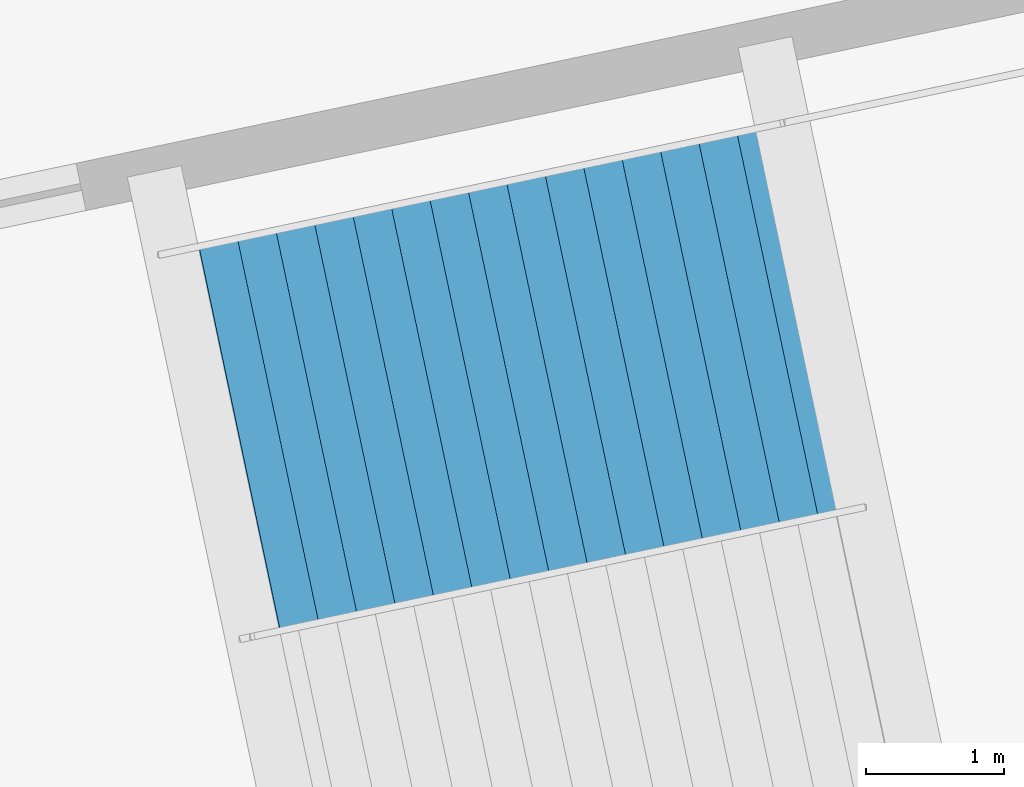
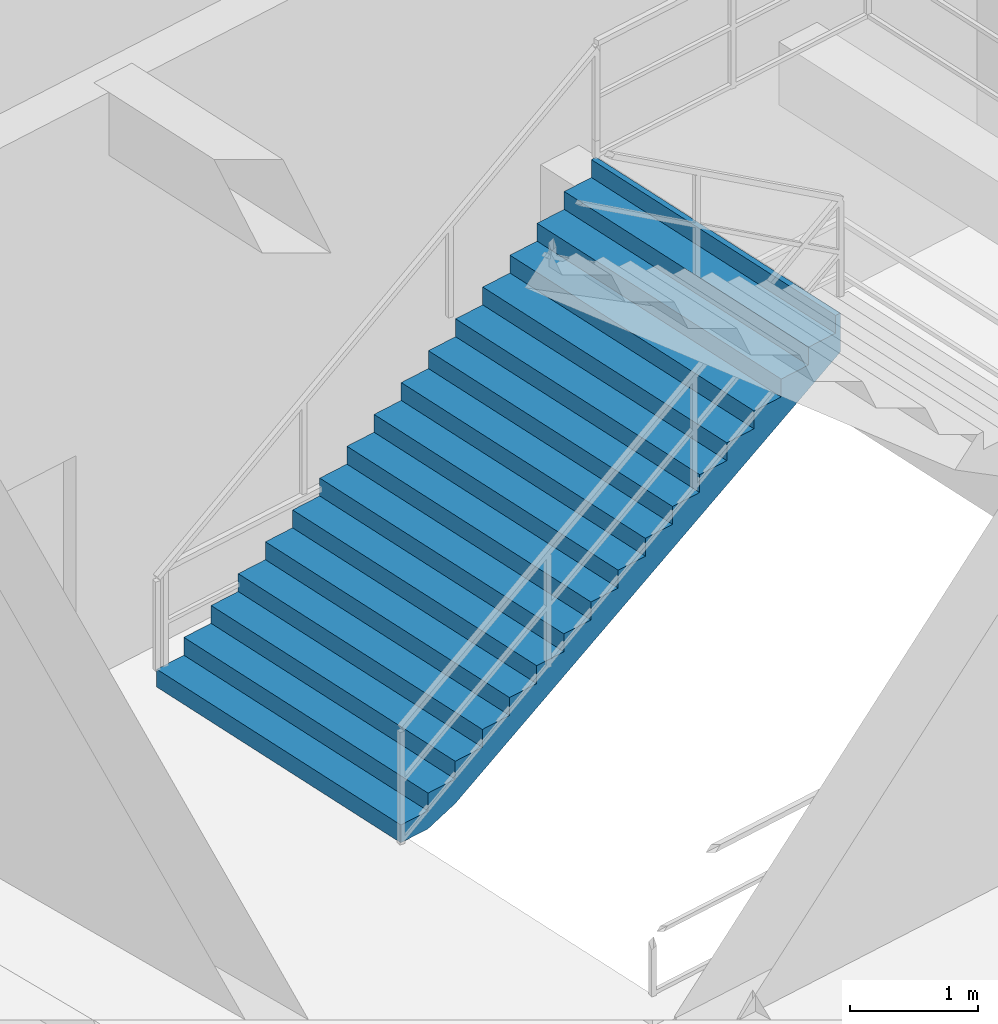
# One storey, part 26 of 48: 1 stair flight, 1 element without a shape of its own.
"""IFC4 building model written with IfcOpenShell, lengths in metres."""

from ifc_helpers import new_model, si_unit, direction, frame, origin, place, context, subcontext, project, spatial, polygons, material, type_object, element, aggregate, save


model = new_model("IFC4")

# Units and contexts
model_context = context("Model", 3, precision=1e-05, world=origin(), true_north=direction((0.0, 1.0)))
body_context = subcontext(model_context, "Body", "Model", "MODEL_VIEW")
ifc_project = project(units=[si_unit("LENGTHUNIT", "METRE"), si_unit("AREAUNIT", "SQUARE_METRE"), si_unit("VOLUMEUNIT", "CUBIC_METRE"), si_unit("PLANEANGLEUNIT", "RADIAN"), si_unit("MASSUNIT", "GRAM", prefix="KILO")], contexts=[model_context])

# Site, building, storey
site_placement = place(None, origin())
site = spatial("IfcSite", under=ifc_project, at=site_placement, CompositionType="ELEMENT")
building_placement = place(site_placement, origin())
building = spatial("IfcBuilding", under=site, at=building_placement, Name="Kazemori Nagisa Stadium", CompositionType="ELEMENT")
storey_placement = place(building_placement, origin())
storey = spatial("IfcBuildingStorey", under=building, at=storey_placement, Name="L00", CompositionType="ELEMENT", Elevation=0.0)

# Stair, stair flight
ifc_material = material(Name="Concrete C36/45 (Fc36)", Category="concrete")
stair_type = type_object("IfcStairType", Name="Stair_CORE_34", PredefinedType="TWO_STRAIGHT_RUN_STAIR", material=ifc_material)
stair_placement = place(storey_placement, origin())
stair = element("IfcStair", 1, at=stair_placement, inside=storey, type_object=stair_type, Name="Exit stair ST06 L00", PredefinedType="TWO_STRAIGHT_RUN_STAIR")
stair_flight_type = type_object("IfcStairFlightType", Name="Flight_CORE_17", PredefinedType="STRAIGHT", material=ifc_material)
stair_flight_placement = place(storey_placement, frame((145.99365234375, 24.9423828125, 0.0), z_axis=(0.0, 0.0, 1.0), x_axis=(0.978343656901, 0.206987171104, 0.0)))
stair_flight = element("IfcStairFlight", 2, at=stair_flight_placement, type_object=stair_flight_type, Name="Exit stair ST06 L00 flight 1", NumberOfRisers=17, NumberOfTreads=16, PredefinedType="STRAIGHT", RiserHeight=0.17, TreadLength=0.285, context=body_context, shape_type="Tessellation", body=[
    polygons([(0.0, -1.425048828125, 0.0), (0.0, -1.425048828125, 0.169921875), (0.284912109375, -1.425048828125, 0.169921875), (0.284912109375, -1.425048828125, 0.340087890625), (0.570068359375, -1.425048828125, 0.340087890625), (0.570068359375, -1.425048828125, 0.510009765625), (0.85498046875, -1.425048828125, 0.510009765625), (0.85498046875, -1.425048828125, 0.679931640625), (1.139892578125, -1.425048828125, 0.679931640625), (1.139892578125, -1.425048828125, 0.85009765625), (1.425048828125, -1.425048828125, 0.85009765625), (1.425048828125, -1.425048828125, 1.02001953125), (1.7099609375, -1.425048828125, 1.02001953125), (1.7099609375, -1.425048828125, 1.18994140625), (1.9951171875, -1.425048828125, 1.18994140625), (1.9951171875, -1.425048828125, 1.360107421875), (2.280029296875, -1.425048828125, 1.360107421875), (2.280029296875, -1.425048828125, 1.530029296875), (2.56494140625, -1.425048828125, 1.530029296875), (2.56494140625, -1.425048828125, 1.699951171875), (2.85009765625, -1.425048828125, 1.699951171875), (2.85009765625, -1.425048828125, 1.8701171875), (3.135009765625, -1.425048828125, 1.8701171875), (3.135009765625, -1.425048828125, 2.0400390625), (3.419921875, -1.425048828125, 2.0400390625), (3.419921875, -1.425048828125, 2.2099609375), (3.705078125, -1.425048828125, 2.2099609375), (3.705078125, -1.425048828125, 2.3798828125), (3.989990234375, -1.425048828125, 2.3798828125), (3.989990234375, -1.425048828125, 2.550048828125), (4.27490234375, -1.425048828125, 2.550048828125), (4.27490234375, -1.425048828125, 2.719970703125), (4.56005859375, -1.425048828125, 2.719970703125), (4.56005859375, -1.425048828125, 2.889892578125), (4.610107421875, -1.425048828125, 2.889892578125), (4.610107421875, -1.425048828125, 2.51708984375), (4.56005859375, -1.425048828125, 2.487060546875), (4.27490234375, -1.425048828125, 2.317138671875), (3.989990234375, -1.425048828125, 2.147216796875), (3.705078125, -1.425048828125, 1.977294921875), (3.419921875, -1.425048828125, 1.80712890625), (3.135009765625, -1.425048828125, 1.63720703125), (2.85009765625, -1.425048828125, 1.46728515625), (2.56494140625, -1.425048828125, 1.297119140625), (2.280029296875, -1.425048828125, 1.127197265625), (1.9951171875, -1.425048828125, 0.957275390625), (1.7099609375, -1.425048828125, 0.787109375), (1.425048828125, -1.425048828125, 0.6171875), (1.139892578125, -1.425048828125, 0.447265625), (0.85498046875, -1.425048828125, 0.277099609375), (0.570068359375, -1.425048828125, 0.107177734375), (0.284912109375, -1.425048828125, 0.0), (0.0, -0.08544921875, 0.0), (0.0, -0.08544921875, 0.169921875), (0.284912109375, -0.08544921875, 0.169921875), (0.284912109375, -0.08544921875, 0.340087890625), (0.570068359375, -0.08544921875, 0.340087890625), (0.570068359375, -0.08544921875, 0.510009765625), (0.85498046875, -0.08544921875, 0.510009765625), (0.85498046875, -0.08544921875, 0.679931640625), (1.139892578125, -0.08544921875, 0.679931640625), (1.139892578125, -0.08544921875, 0.85009765625), (1.425048828125, -0.08544921875, 0.85009765625), (1.425048828125, -0.08544921875, 1.02001953125), (1.7099609375, -0.08544921875, 1.02001953125), (1.7099609375, -0.08544921875, 1.18994140625), (1.9951171875, -0.08544921875, 1.18994140625), (1.9951171875, -0.08544921875, 1.360107421875), (2.280029296875, -0.08544921875, 1.360107421875), (2.280029296875, -0.08544921875, 1.530029296875), (2.56494140625, -0.08544921875, 1.530029296875), (2.56494140625, -0.08544921875, 1.699951171875), (2.85009765625, -0.08544921875, 1.699951171875), (2.85009765625, -0.08544921875, 1.8701171875), (3.135009765625, -0.08544921875, 1.8701171875), (3.135009765625, -0.08544921875, 2.0400390625), (3.419921875, -0.08544921875, 2.0400390625), (3.419921875, -0.08544921875, 2.2099609375), (3.705078125, -0.08544921875, 2.2099609375), (3.705078125, -0.08544921875, 2.3798828125), (3.989990234375, -0.08544921875, 2.3798828125), (3.989990234375, -0.08544921875, 2.550048828125), (4.27490234375, -0.08544921875, 2.550048828125), (4.27490234375, -0.08544921875, 2.719970703125), (4.56005859375, -0.08544921875, 2.719970703125), (4.56005859375, -0.08544921875, 2.889892578125), (4.610107421875, -0.08544921875, 2.889892578125), (4.610107421875, -0.08544921875, 2.51708984375), (4.56005859375, -0.08544921875, 2.487060546875), (4.27490234375, -0.08544921875, 2.317138671875), (3.989990234375, -0.08544921875, 2.147216796875), (3.705078125, -0.08544921875, 1.977294921875), (3.419921875, -0.08544921875, 1.80712890625), (3.135009765625, -0.08544921875, 1.63720703125), (2.85009765625, -0.08544921875, 1.46728515625), (2.56494140625, -0.08544921875, 1.297119140625), (2.280029296875, -0.08544921875, 1.127197265625), (1.9951171875, -0.08544921875, 0.957275390625), (1.7099609375, -0.08544921875, 0.787109375), (1.425048828125, -0.08544921875, 0.6171875), (1.139892578125, -0.08544921875, 0.447265625), (0.85498046875, -0.08544921875, 0.277099609375), (0.570068359375, -0.08544921875, 0.107177734375), (0.284912109375, -0.08544921875, 0.0), (0.0, 0.0, 0.0), (0.0, 0.0, 0.169921875), (0.284912109375, 0.0, 0.169921875), (0.284912109375, 0.0, 0.340087890625), (0.570068359375, 0.0, 0.340087890625), (0.570068359375, 0.0, 0.510009765625), (0.85498046875, 0.0, 0.510009765625), (0.85498046875, 0.0, 0.679931640625), (1.139892578125, 0.0, 0.679931640625), (1.139892578125, 0.0, 0.85009765625), (1.425048828125, 0.0, 0.85009765625), (1.425048828125, 0.0, 1.02001953125), (1.7099609375, 0.0, 1.02001953125), (1.7099609375, 0.0, 1.18994140625), (1.9951171875, 0.0, 1.18994140625), (1.9951171875, 0.0, 1.360107421875), (2.280029296875, 0.0, 1.360107421875), (2.280029296875, 0.0, 1.530029296875), (2.56494140625, 0.0, 1.530029296875), (2.56494140625, 0.0, 1.699951171875), (2.85009765625, 0.0, 1.699951171875), (2.85009765625, 0.0, 1.8701171875), (3.135009765625, 0.0, 1.8701171875), (3.135009765625, 0.0, 2.0400390625), (3.419921875, 0.0, 2.0400390625), (3.419921875, 0.0, 2.2099609375), (3.705078125, 0.0, 2.2099609375), (3.705078125, 0.0, 2.3798828125), (3.989990234375, 0.0, 2.3798828125), (3.989990234375, 0.0, 2.550048828125), (4.27490234375, 0.0, 2.550048828125), (4.27490234375, 0.0, 2.719970703125), (4.56005859375, 0.0, 2.719970703125), (4.56005859375, 0.0, 2.889892578125), (4.610107421875, 0.0, 2.889892578125), (4.610107421875, 0.0, 2.51708984375), (4.56005859375, 0.0, 2.487060546875), (4.27490234375, 0.0, 2.317138671875), (3.989990234375, 0.0, 2.147216796875), (3.705078125, 0.0, 1.977294921875), (3.419921875, 0.0, 1.80712890625), (3.135009765625, 0.0, 1.63720703125), (2.85009765625, 0.0, 1.46728515625), (2.56494140625, 0.0, 1.297119140625), (2.280029296875, 0.0, 1.127197265625), (1.9951171875, 0.0, 0.957275390625), (1.7099609375, 0.0, 0.787109375), (1.425048828125, 0.0, 0.6171875), (1.139892578125, 0.0, 0.447265625), (0.85498046875, 0.0, 0.277099609375), (0.570068359375, 0.0, 0.107177734375), (0.284912109375, 0.0, 0.0), (0.0, 0.08544921875, 0.0), (0.0, 0.08544921875, 0.169921875), (0.284912109375, 0.08544921875, 0.169921875), (0.284912109375, 0.08544921875, 0.340087890625), (0.570068359375, 0.08544921875, 0.340087890625), (0.570068359375, 0.08544921875, 0.510009765625), (0.85498046875, 0.08544921875, 0.510009765625), (0.85498046875, 0.08544921875, 0.679931640625), (1.139892578125, 0.08544921875, 0.679931640625), (1.139892578125, 0.08544921875, 0.85009765625), (1.425048828125, 0.08544921875, 0.85009765625), (1.425048828125, 0.08544921875, 1.02001953125), (1.7099609375, 0.08544921875, 1.02001953125), (1.7099609375, 0.08544921875, 1.18994140625), (1.9951171875, 0.08544921875, 1.18994140625), (1.9951171875, 0.08544921875, 1.360107421875), (2.280029296875, 0.08544921875, 1.360107421875), (2.280029296875, 0.08544921875, 1.530029296875), (2.56494140625, 0.08544921875, 1.530029296875), (2.56494140625, 0.08544921875, 1.699951171875), (2.85009765625, 0.08544921875, 1.699951171875), (2.85009765625, 0.08544921875, 1.8701171875), (3.135009765625, 0.08544921875, 1.8701171875), (3.135009765625, 0.08544921875, 2.0400390625), (3.419921875, 0.08544921875, 2.0400390625), (3.419921875, 0.08544921875, 2.2099609375), (3.705078125, 0.08544921875, 2.2099609375), (3.705078125, 0.08544921875, 2.3798828125), (3.989990234375, 0.08544921875, 2.3798828125), (3.989990234375, 0.08544921875, 2.550048828125), (4.27490234375, 0.08544921875, 2.550048828125), (4.27490234375, 0.08544921875, 2.719970703125), (4.56005859375, 0.08544921875, 2.719970703125), (4.56005859375, 0.08544921875, 2.889892578125), (4.610107421875, 0.08544921875, 2.889892578125), (4.610107421875, 0.08544921875, 2.51708984375), (4.56005859375, 0.08544921875, 2.487060546875), (4.27490234375, 0.08544921875, 2.317138671875), (3.989990234375, 0.08544921875, 2.147216796875), (3.705078125, 0.08544921875, 1.977294921875), (3.419921875, 0.08544921875, 1.80712890625), (3.135009765625, 0.08544921875, 1.63720703125), (2.85009765625, 0.08544921875, 1.46728515625), (2.56494140625, 0.08544921875, 1.297119140625), (2.280029296875, 0.08544921875, 1.127197265625), (1.9951171875, 0.08544921875, 0.957275390625), (1.7099609375, 0.08544921875, 0.787109375), (1.425048828125, 0.08544921875, 0.6171875), (1.139892578125, 0.08544921875, 0.447265625), (0.85498046875, 0.08544921875, 0.277099609375), (0.570068359375, 0.08544921875, 0.107177734375), (0.284912109375, 0.08544921875, 0.0), (0.0, 1.425048828125, 0.0), (0.0, 1.425048828125, 0.169921875), (0.284912109375, 1.425048828125, 0.169921875), (0.284912109375, 1.425048828125, 0.340087890625), (0.570068359375, 1.425048828125, 0.340087890625), (0.570068359375, 1.425048828125, 0.510009765625), (0.85498046875, 1.425048828125, 0.510009765625), (0.85498046875, 1.425048828125, 0.679931640625), (1.139892578125, 1.425048828125, 0.679931640625), (1.139892578125, 1.425048828125, 0.85009765625), (1.425048828125, 1.425048828125, 0.85009765625), (1.425048828125, 1.425048828125, 1.02001953125), (1.7099609375, 1.425048828125, 1.02001953125), (1.7099609375, 1.425048828125, 1.18994140625), (1.9951171875, 1.425048828125, 1.18994140625), (1.9951171875, 1.425048828125, 1.360107421875), (2.280029296875, 1.425048828125, 1.360107421875), (2.280029296875, 1.425048828125, 1.530029296875), (2.56494140625, 1.425048828125, 1.530029296875), (2.56494140625, 1.425048828125, 1.699951171875), (2.85009765625, 1.425048828125, 1.699951171875), (2.85009765625, 1.425048828125, 1.8701171875), (3.135009765625, 1.425048828125, 1.8701171875), (3.135009765625, 1.425048828125, 2.0400390625), (3.419921875, 1.425048828125, 2.0400390625), (3.419921875, 1.425048828125, 2.2099609375), (3.705078125, 1.425048828125, 2.2099609375), (3.705078125, 1.425048828125, 2.3798828125), (3.989990234375, 1.425048828125, 2.3798828125), (3.989990234375, 1.425048828125, 2.550048828125), (4.27490234375, 1.425048828125, 2.550048828125), (4.27490234375, 1.425048828125, 2.719970703125), (4.56005859375, 1.425048828125, 2.719970703125), (4.56005859375, 1.425048828125, 2.889892578125), (4.610107421875, 1.425048828125, 2.889892578125), (4.610107421875, 1.425048828125, 2.51708984375), (4.56005859375, 1.425048828125, 2.487060546875), (4.27490234375, 1.425048828125, 2.317138671875), (3.989990234375, 1.425048828125, 2.147216796875), (3.705078125, 1.425048828125, 1.977294921875), (3.419921875, 1.425048828125, 1.80712890625), (3.135009765625, 1.425048828125, 1.63720703125), (2.85009765625, 1.425048828125, 1.46728515625), (2.56494140625, 1.425048828125, 1.297119140625), (2.280029296875, 1.425048828125, 1.127197265625), (1.9951171875, 1.425048828125, 0.957275390625), (1.7099609375, 1.425048828125, 0.787109375), (1.425048828125, 1.425048828125, 0.6171875), (1.139892578125, 1.425048828125, 0.447265625), (0.85498046875, 1.425048828125, 0.277099609375), (0.570068359375, 1.425048828125, 0.107177734375), (0.284912109375, 1.425048828125, 0.0)], [[[1, 2, 54]], [[1, 54, 53]], [[2, 3, 55]], [[2, 55, 54]], [[3, 4, 56]], [[3, 56, 55]], [[4, 5, 57]], [[4, 57, 56]], [[5, 6, 58]], [[5, 58, 57]], [[6, 7, 59]], [[6, 59, 58]], [[7, 8, 60]], [[7, 60, 59]], [[8, 9, 61]], [[8, 61, 60]], [[9, 10, 62]], [[9, 62, 61]], [[10, 11, 63]], [[10, 63, 62]], [[11, 12, 64]], [[11, 64, 63]], [[12, 13, 65]], [[12, 65, 64]], [[13, 14, 66]], [[13, 66, 65]], [[14, 15, 67]], [[14, 67, 66]], [[15, 16, 68]], [[15, 68, 67]], [[16, 17, 69]], [[16, 69, 68]], [[17, 18, 70]], [[17, 70, 69]], [[18, 19, 71]], [[18, 71, 70]], [[19, 20, 72]], [[19, 72, 71]], [[20, 21, 73]], [[20, 73, 72]], [[21, 22, 74]], [[21, 74, 73]], [[22, 23, 75]], [[22, 75, 74]], [[23, 24, 76]], [[23, 76, 75]], [[24, 25, 77]], [[24, 77, 76]], [[25, 26, 78]], [[25, 78, 77]], [[26, 27, 79]], [[26, 79, 78]], [[27, 28, 80]], [[27, 80, 79]], [[28, 29, 81]], [[28, 81, 80]], [[29, 30, 82]], [[29, 82, 81]], [[30, 31, 83]], [[30, 83, 82]], [[31, 32, 84]], [[31, 84, 83]], [[32, 33, 85]], [[32, 85, 84]], [[33, 34, 86]], [[33, 86, 85]], [[34, 35, 87]], [[34, 87, 86]], [[35, 36, 88]], [[35, 88, 87]], [[36, 37, 89]], [[36, 89, 88]], [[37, 38, 90]], [[37, 90, 89]], [[38, 39, 91]], [[38, 91, 90]], [[39, 40, 92]], [[39, 92, 91]], [[40, 41, 93]], [[40, 93, 92]], [[41, 42, 94]], [[41, 94, 93]], [[42, 43, 95]], [[42, 95, 94]], [[43, 44, 96]], [[43, 96, 95]], [[44, 45, 97]], [[44, 97, 96]], [[45, 46, 98]], [[45, 98, 97]], [[46, 47, 99]], [[46, 99, 98]], [[47, 48, 100]], [[47, 100, 99]], [[48, 49, 101]], [[48, 101, 100]], [[49, 50, 102]], [[49, 102, 101]], [[50, 51, 103]], [[50, 103, 102]], [[51, 52, 104]], [[51, 104, 103]], [[52, 1, 53]], [[52, 53, 104]], [[53, 54, 106]], [[53, 106, 105]], [[54, 55, 107]], [[54, 107, 106]], [[55, 56, 108]], [[55, 108, 107]], [[56, 57, 109]], [[56, 109, 108]], [[57, 58, 110]], [[57, 110, 109]], [[58, 59, 111]], [[58, 111, 110]], [[59, 60, 112]], [[59, 112, 111]], [[60, 61, 113]], [[60, 113, 112]], [[61, 62, 114]], [[61, 114, 113]], [[62, 63, 115]], [[62, 115, 114]], [[63, 64, 116]], [[63, 116, 115]], [[64, 65, 117]], [[64, 117, 116]], [[65, 66, 118]], [[65, 118, 117]], [[66, 67, 119]], [[66, 119, 118]], [[67, 68, 120]], [[67, 120, 119]], [[68, 69, 121]], [[68, 121, 120]], [[69, 70, 122]], [[69, 122, 121]], [[70, 71, 123]], [[70, 123, 122]], [[71, 72, 124]], [[71, 124, 123]], [[72, 73, 125]], [[72, 125, 124]], [[73, 74, 126]], [[73, 126, 125]], [[74, 75, 127]], [[74, 127, 126]], [[75, 76, 128]], [[75, 128, 127]], [[76, 77, 129]], [[76, 129, 128]], [[77, 78, 130]], [[77, 130, 129]], [[78, 79, 131]], [[78, 131, 130]], [[79, 80, 132]], [[79, 132, 131]], [[80, 81, 133]], [[80, 133, 132]], [[81, 82, 134]], [[81, 134, 133]], [[82, 83, 135]], [[82, 135, 134]], [[83, 84, 136]], [[83, 136, 135]], [[84, 85, 137]], [[84, 137, 136]], [[85, 86, 138]], [[85, 138, 137]], [[86, 87, 139]], [[86, 139, 138]], [[87, 88, 140]], [[87, 140, 139]], [[88, 89, 141]], [[88, 141, 140]], [[89, 90, 142]], [[89, 142, 141]], [[90, 91, 143]], [[90, 143, 142]], [[91, 92, 144]], [[91, 144, 143]], [[92, 93, 145]], [[92, 145, 144]], [[93, 94, 146]], [[93, 146, 145]], [[94, 95, 147]], [[94, 147, 146]], [[95, 96, 148]], [[95, 148, 147]], [[96, 97, 149]], [[96, 149, 148]], [[97, 98, 150]], [[97, 150, 149]], [[98, 99, 151]], [[98, 151, 150]], [[99, 100, 152]], [[99, 152, 151]], [[100, 101, 153]], [[100, 153, 152]], [[101, 102, 154]], [[101, 154, 153]], [[102, 103, 155]], [[102, 155, 154]], [[103, 104, 156]], [[103, 156, 155]], [[104, 53, 105]], [[104, 105, 156]], [[105, 106, 158]], [[105, 158, 157]], [[106, 107, 159]], [[106, 159, 158]], [[107, 108, 160]], [[107, 160, 159]], [[108, 109, 161]], [[108, 161, 160]], [[109, 110, 162]], [[109, 162, 161]], [[110, 111, 163]], [[110, 163, 162]], [[111, 112, 164]], [[111, 164, 163]], [[112, 113, 165]], [[112, 165, 164]], [[113, 114, 166]], [[113, 166, 165]], [[114, 115, 167]], [[114, 167, 166]], [[115, 116, 168]], [[115, 168, 167]], [[116, 117, 169]], [[116, 169, 168]], [[117, 118, 170]], [[117, 170, 169]], [[118, 119, 171]], [[118, 171, 170]], [[119, 120, 172]], [[119, 172, 171]], [[120, 121, 173]], [[120, 173, 172]], [[121, 122, 174]], [[121, 174, 173]], [[122, 123, 175]], [[122, 175, 174]], [[123, 124, 176]], [[123, 176, 175]], [[124, 125, 177]], [[124, 177, 176]], [[125, 126, 178]], [[125, 178, 177]], [[126, 127, 179]], [[126, 179, 178]], [[127, 128, 180]], [[127, 180, 179]], [[128, 129, 181]], [[128, 181, 180]], [[129, 130, 182]], [[129, 182, 181]], [[130, 131, 183]], [[130, 183, 182]], [[131, 132, 184]], [[131, 184, 183]], [[132, 133, 185]], [[132, 185, 184]], [[133, 134, 186]], [[133, 186, 185]], [[134, 135, 187]], [[134, 187, 186]], [[135, 136, 188]], [[135, 188, 187]], [[136, 137, 189]], [[136, 189, 188]], [[137, 138, 190]], [[137, 190, 189]], [[138, 139, 191]], [[138, 191, 190]], [[139, 140, 192]], [[139, 192, 191]], [[140, 141, 193]], [[140, 193, 192]], [[141, 142, 194]], [[141, 194, 193]], [[142, 143, 195]], [[142, 195, 194]], [[143, 144, 196]], [[143, 196, 195]], [[144, 145, 197]], [[144, 197, 196]], [[145, 146, 198]], [[145, 198, 197]], [[146, 147, 199]], [[146, 199, 198]], [[147, 148, 200]], [[147, 200, 199]], [[148, 149, 201]], [[148, 201, 200]], [[149, 150, 202]], [[149, 202, 201]], [[150, 151, 203]], [[150, 203, 202]], [[151, 152, 204]], [[151, 204, 203]], [[152, 153, 205]], [[152, 205, 204]], [[153, 154, 206]], [[153, 206, 205]], [[154, 155, 207]], [[154, 207, 206]], [[155, 156, 208]], [[155, 208, 207]], [[156, 105, 157]], [[156, 157, 208]], [[157, 158, 210]], [[157, 210, 209]], [[158, 159, 211]], [[158, 211, 210]], [[159, 160, 212]], [[159, 212, 211]], [[160, 161, 213]], [[160, 213, 212]], [[161, 162, 214]], [[161, 214, 213]], [[162, 163, 215]], [[162, 215, 214]], [[163, 164, 216]], [[163, 216, 215]], [[164, 165, 217]], [[164, 217, 216]], [[165, 166, 218]], [[165, 218, 217]], [[166, 167, 219]], [[166, 219, 218]], [[167, 168, 220]], [[167, 220, 219]], [[168, 169, 221]], [[168, 221, 220]], [[169, 170, 222]], [[169, 222, 221]], [[170, 171, 223]], [[170, 223, 222]], [[171, 172, 224]], [[171, 224, 223]], [[172, 173, 225]], [[172, 225, 224]], [[173, 174, 226]], [[173, 226, 225]], [[174, 175, 227]], [[174, 227, 226]], [[175, 176, 228]], [[175, 228, 227]], [[176, 177, 229]], [[176, 229, 228]], [[177, 178, 230]], [[177, 230, 229]], [[178, 179, 231]], [[178, 231, 230]], [[179, 180, 232]], [[179, 232, 231]], [[180, 181, 233]], [[180, 233, 232]], [[181, 182, 234]], [[181, 234, 233]], [[182, 183, 235]], [[182, 235, 234]], [[183, 184, 236]], [[183, 236, 235]], [[184, 185, 237]], [[184, 237, 236]], [[185, 186, 238]], [[185, 238, 237]], [[186, 187, 239]], [[186, 239, 238]], [[187, 188, 240]], [[187, 240, 239]], [[188, 189, 241]], [[188, 241, 240]], [[189, 190, 242]], [[189, 242, 241]], [[190, 191, 243]], [[190, 243, 242]], [[191, 192, 244]], [[191, 244, 243]], [[192, 193, 245]], [[192, 245, 244]], [[193, 194, 246]], [[193, 246, 245]], [[194, 195, 247]], [[194, 247, 246]], [[195, 196, 248]], [[195, 248, 247]], [[196, 197, 249]], [[196, 249, 248]], [[197, 198, 250]], [[197, 250, 249]], [[198, 199, 251]], [[198, 251, 250]], [[199, 200, 252]], [[199, 252, 251]], [[200, 201, 253]], [[200, 253, 252]], [[201, 202, 254]], [[201, 254, 253]], [[202, 203, 255]], [[202, 255, 254]], [[203, 204, 256]], [[203, 256, 255]], [[204, 205, 257]], [[204, 257, 256]], [[205, 206, 258]], [[205, 258, 257]], [[206, 207, 259]], [[206, 259, 258]], [[207, 208, 260]], [[207, 260, 259]], [[208, 157, 209]], [[208, 209, 260]], [[3, 2, 1]], [[209, 210, 211]], [[52, 3, 1]], [[209, 211, 260]], [[51, 3, 52]], [[260, 211, 259]], [[5, 3, 51]], [[259, 211, 213]], [[5, 4, 3]], [[211, 212, 213]], [[50, 5, 51]], [[259, 213, 258]], [[7, 5, 50]], [[258, 213, 215]], [[7, 6, 5]], [[213, 214, 215]], [[49, 7, 50]], [[258, 215, 257]], [[9, 7, 49]], [[257, 215, 217]], [[9, 8, 7]], [[215, 216, 217]], [[48, 9, 49]], [[257, 217, 256]], [[11, 9, 48]], [[256, 217, 219]], [[11, 10, 9]], [[217, 218, 219]], [[47, 11, 48]], [[256, 219, 255]], [[13, 11, 47]], [[255, 219, 221]], [[13, 12, 11]], [[219, 220, 221]], [[46, 13, 47]], [[255, 221, 254]], [[15, 13, 46]], [[254, 221, 223]], [[15, 14, 13]], [[221, 222, 223]], [[45, 15, 46]], [[254, 223, 253]], [[17, 15, 45]], [[253, 223, 225]], [[17, 16, 15]], [[223, 224, 225]], [[44, 17, 45]], [[253, 225, 252]], [[19, 17, 44]], [[252, 225, 227]], [[19, 18, 17]], [[225, 226, 227]], [[43, 19, 44]], [[252, 227, 251]], [[21, 19, 43]], [[251, 227, 229]], [[21, 20, 19]], [[227, 228, 229]], [[42, 21, 43]], [[251, 229, 250]], [[23, 21, 42]], [[250, 229, 231]], [[23, 22, 21]], [[229, 230, 231]], [[41, 23, 42]], [[250, 231, 249]], [[25, 23, 41]], [[249, 231, 233]], [[25, 24, 23]], [[231, 232, 233]], [[40, 25, 41]], [[249, 233, 248]], [[27, 25, 40]], [[248, 233, 235]], [[27, 26, 25]], [[233, 234, 235]], [[39, 27, 40]], [[248, 235, 247]], [[29, 27, 39]], [[247, 235, 237]], [[29, 28, 27]], [[235, 236, 237]], [[38, 29, 39]], [[247, 237, 246]], [[31, 29, 38]], [[246, 237, 239]], [[31, 30, 29]], [[237, 238, 239]], [[37, 31, 38]], [[246, 239, 245]], [[33, 31, 37]], [[245, 239, 241]], [[33, 32, 31]], [[239, 240, 241]], [[36, 33, 37]], [[245, 241, 244]], [[35, 33, 36]], [[244, 241, 243]], [[35, 34, 33]], [[241, 242, 243]]], closed=True),
])
aggregate(stair, [stair_flight])

save(model, "model.ifc")
